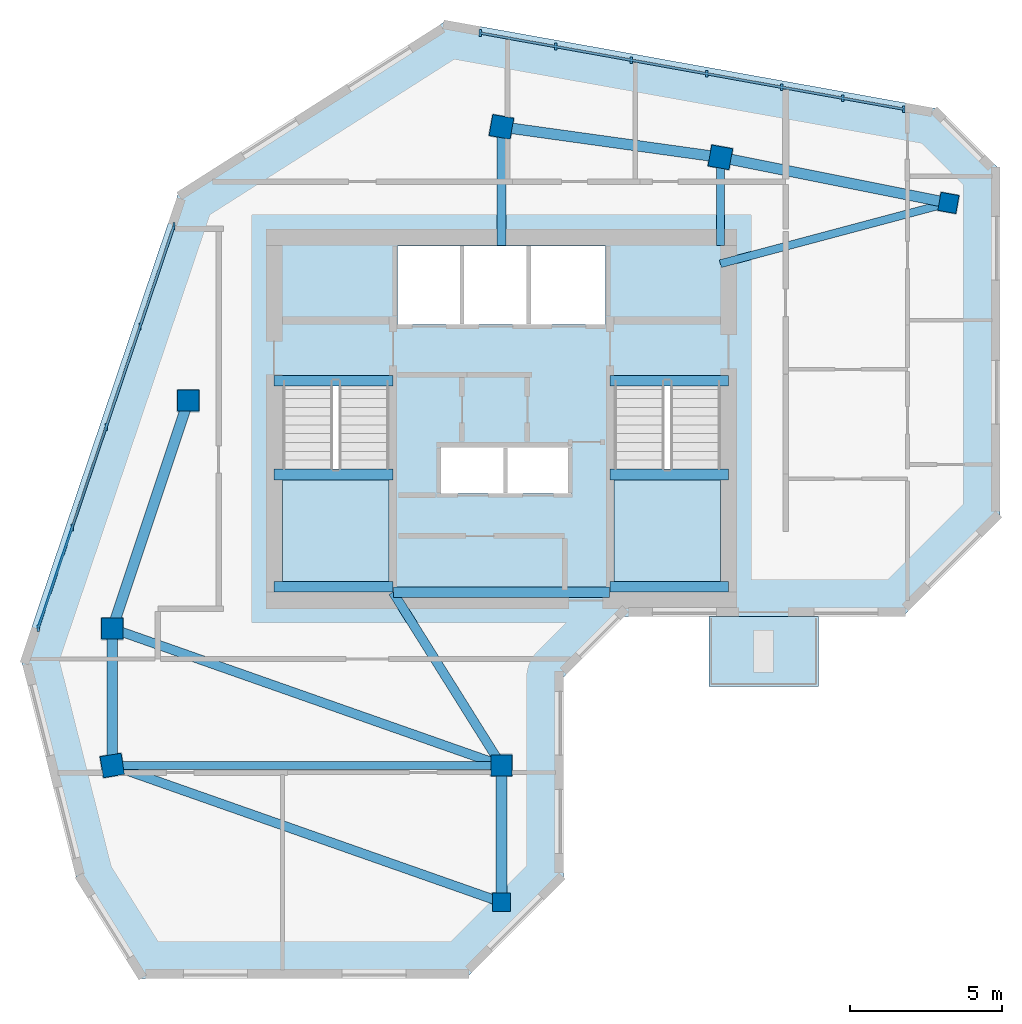
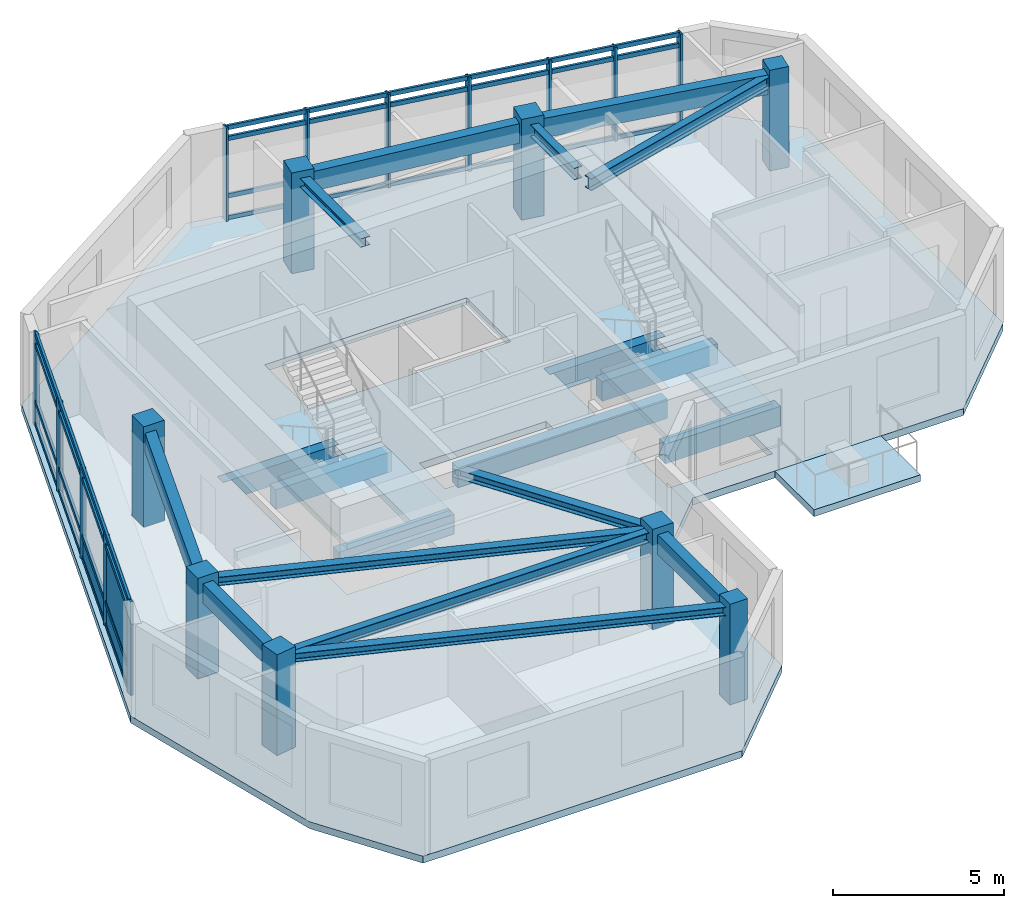
# One storey, part 1 of 7: 20 members, 19 beams, 8 columns, 4 slabs, 3 plates, 4 elements without a shape of their own.
"""IFC4 building model written with IfcOpenShell, lengths in metres."""

import ifcopenshell
import ifcopenshell.guid

model = None  # the IFC model being written
_history = None  # IfcOwnerHistory: only IFC2X3 demands one
_inside = {}  # id of a spatial element -> (the spatial element, [elements in it])
_under = {}  # id of a project, library or spatial element -> (it, [spatial elements below it])
_declared = {}  # id of a project -> (the project, [libraries it declares])
_typed = {}  # id of a type object -> (the type object, [elements of that type])
_made_of = {}  # id of a material, layer set ... -> (it, [elements and type objects made of it])


def new_model(schema):
    """Start an empty IFC model of exactly this schema.

    Asked for "IFC4X3", IfcOpenShell would pick the latest addendum, in which some entities
    have other attributes; the version numbers below select the first issue.
    IFC2X3 requires an IfcOwnerHistory on every rooted entity: one is made here for all.
    """
    global model, _history
    if schema == "IFC4X3":
        model = ifcopenshell.file(schema_version=(4, 3, 0, 0))
    else:
        model = ifcopenshell.file(schema=schema)
    _inside.clear()
    _under.clear()
    _declared.clear()
    _typed.clear()
    _made_of.clear()
    _history = None
    if model.schema == "IFC2X3":
        org = make("IfcOrganization", Name="unknown")
        user = make(
            "IfcPersonAndOrganization",
            ThePerson=make("IfcPerson", FamilyName="unknown"),
            TheOrganization=org,
        )
        app = make(
            "IfcApplication",
            ApplicationDeveloper=org,
            Version="unknown",
            ApplicationFullName="unknown",
            ApplicationIdentifier="unknown",
        )
        _history = make(
            "IfcOwnerHistory",
            OwningUser=user,
            OwningApplication=app,
            ChangeAction="ADDED",
            CreationDate=0,
        )
    return model


def make(cls, **values):
    """One entity of the class cls with the attributes given. An attribute that is None is left unset."""
    return model.create_entity(
        cls, **{name: value for name, value in values.items() if value is not None}
    )


def rooted(cls, **values):
    """An entity with a GlobalId (a new one), such as an element, a storey or a relation."""
    return make(cls, GlobalId=ifcopenshell.guid.new(), OwnerHistory=_history, **values)


def si_unit(unit_type, name, prefix=None):
    """IfcSIUnit, for example si_unit("LENGTHUNIT", "METRE", prefix="MILLI")."""
    return make("IfcSIUnit", UnitType=unit_type, Prefix=prefix, Name=name)


def assignment(units):
    """IfcUnitAssignment: the units of a project."""
    return None if units is None else make("IfcUnitAssignment", Units=units)


def point(xyz):
    """IfcCartesianPoint."""
    return None if xyz is None else make("IfcCartesianPoint", Coordinates=xyz)


def direction(xyz):
    """IfcDirection."""
    return None if xyz is None else make("IfcDirection", DirectionRatios=xyz)


def frame(location, z_axis=None, x_axis=None):
    """IfcAxis2Placement3D, a coordinate frame: its origin and axes. An axis left out is left unset."""
    return make(
        "IfcAxis2Placement3D",
        Location=point(location),
        Axis=direction(z_axis),
        RefDirection=direction(x_axis),
    )


def frame_2d(location, x_axis=None):
    """IfcAxis2Placement2D, a coordinate frame in the plane: its origin and x axis."""
    return make(
        "IfcAxis2Placement2D", Location=point(location), RefDirection=direction(x_axis)
    )


def origin():
    """The frame at (0, 0, 0) with its axes left unset."""
    return frame((0.0, 0.0, 0.0))


def origin_2d():
    """The frame at (0, 0) in the plane with its x axis left unset."""
    return frame_2d((0.0, 0.0))


def place(relative_to, where):
    """IfcLocalPlacement: puts the frame where relative to a parent placement (None: the world)."""
    return make(
        "IfcLocalPlacement", PlacementRelTo=relative_to, RelativePlacement=where
    )


def context(
    kind, dimensions, precision=None, world=None, true_north=None, identifier=None
):
    """IfcGeometricRepresentationContext, for example the 3D "Model" context."""
    return make(
        "IfcGeometricRepresentationContext",
        ContextIdentifier=identifier,
        ContextType=kind,
        CoordinateSpaceDimension=dimensions,
        Precision=precision,
        WorldCoordinateSystem=world,
        TrueNorth=true_north,
    )


def subcontext(parent, identifier, kind, view, scale=None):
    """IfcGeometricRepresentationSubContext, for example "Body" below "Model"."""
    return make(
        "IfcGeometricRepresentationSubContext",
        ContextIdentifier=identifier,
        ContextType=kind,
        ParentContext=parent,
        TargetScale=scale,
        TargetView=view,
    )


def project(units=None, contexts=None):
    """IfcProject with its units and contexts."""
    return rooted(
        "IfcProject",
        Name="project",
        RepresentationContexts=contexts,
        UnitsInContext=assignment(units),
    )


def spatial(cls, under=None, at=None, **own):
    """A site, building, storey or space (cls), placed at a placement, below another one or the project."""
    s = rooted(cls, ObjectPlacement=at, **own)
    if under is not None:
        _under.setdefault(under.id(), (under, []))[1].append(s)
    return s


def polyline(points):
    """IfcPolyline through the points."""
    return make("IfcPolyline", Points=[point(p) for p in points])


def profile(cls, at=None, kind="AREA", **sizes):
    """A parametric profile (cls). Its sizes go by their IFC names, for example OverallWidth=200.0."""
    return make(cls, ProfileType=kind, Position=at, **sizes)


def rectangle(**sizes):
    """IfcRectangleProfileDef."""
    return profile("IfcRectangleProfileDef", **sizes)


def i_section(**sizes):
    """IfcIShapeProfileDef."""
    return profile("IfcIShapeProfileDef", **sizes)


def outline(outer, holes=None, kind="AREA"):
    """IfcArbitraryClosedProfileDef: a profile drawn as a closed curve; with holes, ...WithVoids."""
    if holes is None:
        return make("IfcArbitraryClosedProfileDef", ProfileType=kind, OuterCurve=outer)
    return make(
        "IfcArbitraryProfileDefWithVoids",
        ProfileType=kind,
        OuterCurve=outer,
        InnerCurves=holes,
    )


def extrude(swept, where, along, depth):
    """IfcExtrudedAreaSolid: the profile swept, set in the frame where, extruded along a direction by depth."""
    return make(
        "IfcExtrudedAreaSolid",
        SweptArea=swept,
        Position=where,
        ExtrudedDirection=direction(along),
        Depth=depth,
    )


def shape(context_of_items, identifier, shape_type, items):
    """IfcShapeRepresentation: the items that make up one representation, for example the "Body"."""
    return make(
        "IfcShapeRepresentation",
        ContextOfItems=context_of_items,
        RepresentationIdentifier=identifier,
        RepresentationType=shape_type,
        Items=items,
    )


def source(mapping_origin, context_of_items, identifier, shape_type, items):
    """IfcRepresentationMap: a shape defined once, which mapped items show again and again."""
    return make(
        "IfcRepresentationMap",
        MappingOrigin=mapping_origin,
        MappedRepresentation=shape(context_of_items, identifier, shape_type, items),
    )


def transform(
    local_origin,
    x_axis=None,
    y_axis=None,
    z_axis=None,
    scale=None,
    scale2=None,
    scale3=None,
    uniform=True,
):
    """IfcCartesianTransformationOperator3D, or its non-uniform kind. x_axis, y_axis, z_axis: its Axis1, 2, 3."""
    if uniform:
        return make(
            "IfcCartesianTransformationOperator3D",
            Axis1=direction(x_axis),
            Axis2=direction(y_axis),
            LocalOrigin=point(local_origin),
            Scale=scale,
            Axis3=direction(z_axis),
        )
    return make(
        "IfcCartesianTransformationOperator3DnonUniform",
        Axis1=direction(x_axis),
        Axis2=direction(y_axis),
        LocalOrigin=point(local_origin),
        Scale=scale,
        Axis3=direction(z_axis),
        Scale2=scale2,
        Scale3=scale3,
    )


def mapped(mapping_source, mapping_target):
    """IfcMappedItem: shows the shape of a source again, moved by a transform."""
    return make(
        "IfcMappedItem", MappingSource=mapping_source, MappingTarget=mapping_target
    )


def material(Name=None, Category=None):
    """IfcMaterial."""
    return make("IfcMaterial", Name=Name, Category=Category)


def layer(
    of_material, thickness, ventilated=None, Name=None, Category=None, Priority=None
):
    """IfcMaterialLayer: one layer of a wall or slab, of a material (None: an air gap)."""
    return make(
        "IfcMaterialLayer",
        Material=of_material,
        LayerThickness=thickness,
        IsVentilated=ventilated,
        Name=Name,
        Category=Category,
        Priority=Priority,
    )


def layer_set(layers, Name=None):
    """IfcMaterialLayerSet."""
    return make("IfcMaterialLayerSet", MaterialLayers=layers, LayerSetName=Name)


def material_profile(
    of_material, cross_section, Name=None, Category=None, Priority=None
):
    """IfcMaterialProfile: a cross section and its material."""
    return make(
        "IfcMaterialProfile",
        Name=Name,
        Material=of_material,
        Profile=cross_section,
        Priority=Priority,
        Category=Category,
    )


def profile_set(profiles, Name=None, composite=None):
    """IfcMaterialProfileSet."""
    return make(
        "IfcMaterialProfileSet",
        Name=Name,
        MaterialProfiles=profiles,
        CompositeProfile=composite,
    )


def made_of(thing, what):
    """Note that an element or type object is made of a material, layer set ...; save() writes the relation."""
    if what is not None:
        _made_of.setdefault(what.id(), (what, []))[1].append(thing)
    return thing


def type_object(cls, material=None, **own):
    """A type object (cls), such as IfcWallType, which elements share."""
    return made_of(rooted(cls, **own), material)


def element(
    cls,
    number,
    at=None,
    inside=None,
    cuts=None,
    type_object=None,
    material=None,
    context=None,
    identifier="Body",
    shape_type=None,
    held_by="IfcProductDefinitionShape",
    body=None,
    shapes=None,
    **own,
):
    """One element of the class cls, such as IfcWall. Its Tag is "e" and its number.

    at: its placement. inside: the storey or other place that contains it. cuts: it is an
    opening in that element (IfcRelVoidsElement). A single representation is given by context,
    identifier, shape_type and body (its items); several are given by shapes. held_by: the class
    of the entity that holds the representations. save() writes the other relations.
    """
    e = rooted(cls, Tag="e%d" % number, ObjectPlacement=at, **own)
    if body is not None:
        shapes = [shape(context, identifier, shape_type, body)]
    if shapes is not None:
        e.Representation = make(held_by, Representations=shapes)
    if inside is not None:
        _inside.setdefault(inside.id(), (inside, []))[1].append(e)
    if cuts is not None:
        rooted(
            "IfcRelVoidsElement", RelatingBuildingElement=cuts, RelatedOpeningElement=e
        )
    if type_object is not None:
        _typed.setdefault(type_object.id(), (type_object, []))[1].append(e)
    return made_of(e, material)


def aggregate(whole, parts):
    """IfcRelAggregates: a whole, such as a stair, and the parts it consists of."""
    return rooted("IfcRelAggregates", RelatingObject=whole, RelatedObjects=parts)


def save(model, path):
    """Write the relations noted so far, then the file.

    IfcRelAggregates (storeys below a building ...), IfcRelContainedInSpatialStructure (elements
    in a storey), IfcRelDefinesByType, IfcRelAssociatesMaterial and IfcRelDeclares: one each for
    every whole, place, type object, material and project.
    """
    for whole, parts in _under.values():
        aggregate(whole, parts)
    for where, things in _inside.values():
        rooted(
            "IfcRelContainedInSpatialStructure",
            RelatedElements=things,
            RelatingStructure=where,
        )
    for kind, things in _typed.values():
        rooted("IfcRelDefinesByType", RelatedObjects=things, RelatingType=kind)
    for what, things in _made_of.values():
        rooted("IfcRelAssociatesMaterial", RelatedObjects=things, RelatingMaterial=what)
    for by, libraries in _declared.values():
        rooted("IfcRelDeclares", RelatingContext=by, RelatedDefinitions=libraries)
    model.write(path)


model = new_model("IFC4")

# Units and contexts
model_context = context("Model", 3, precision=1e-05, world=origin(), true_north=direction((0.0, 1.0)))
body_context = subcontext(model_context, "Body", "Model", "MODEL_VIEW")
ifc_project = project(units=[si_unit("LENGTHUNIT", "METRE"), si_unit("AREAUNIT", "SQUARE_METRE"), si_unit("VOLUMEUNIT", "CUBIC_METRE"), si_unit("PLANEANGLEUNIT", "RADIAN"), si_unit("MASSUNIT", "GRAM", prefix="KILO")], contexts=[model_context])

# Site, building, storey
site_placement = place(None, origin())
site = spatial("IfcSite", under=ifc_project, at=site_placement, CompositionType="ELEMENT")
building_placement = place(site_placement, origin())
building = spatial("IfcBuilding", under=site, at=building_placement, Name="Calvemar Wedge Station Tower", CompositionType="ELEMENT")
storey_placement = place(building_placement, frame((0.0, 0.0, 278.10009765625)))
storey = spatial("IfcBuildingStorey", under=building, at=storey_placement, Name="L71", CompositionType="ELEMENT", Elevation=278.10009765625)

# Columns
ifc_material_1 = material(Name="Concrete C50", Category="concrete")
ifc_material_profile_1 = material_profile(ifc_material_1, rectangle(XDim=0.699951171875, YDim=0.699951171875, at=origin_2d()), Name="RC700x700")
ifc_profile_set_1 = profile_set([ifc_material_profile_1], Name="Concrete C50")
column_type_1 = type_object("IfcColumnType", Name="COL-C7-700", PredefinedType="COLUMN", material=ifc_profile_set_1)
shared_shape_1 = source(origin(), body_context, "Body", "SweptSolid", [
    extrude(rectangle(XDim=0.699951171875, YDim=0.699951171875, at=origin_2d()), origin(), (0.0, 0.0, 1.0), 3.599853515625),
])
for number, where, z_axis, x_axis, name in (
    (1, (11.0, 33.0, 0.0), (0.0, 0.0, 1.0), (1.0, 0.0, 0.0), "Storey L71 Column T-NW1"),
    (2, (13.5, 40.5, 0.0), (0.0, 0.0, 1.0), (1.0, 0.0, 0.0), "Storey L71 Column T-NW2"),
    (3, (23.800048828125, 49.5, 0.0), (0.0, 0.0, 1.0), (0.984195607969, -0.17708474032, 0.0), "Storey L71 Column T-N1"),
    (4, (31.0, 48.5, 0.0), (0.0, 0.0, 1.0), (0.984195607969, -0.17708474032, 0.0), "Storey L71 Column T-N2"),
    (5, (11.0, 28.5, 0.0), (0.0, 0.0, 1.0), (0.158158067254, -0.987413806751, 0.0), "Storey L71 Column T-SW1"),
    (6, (23.800048828125, 28.5, 0.0), (0.0, 0.0, 1.0), (1.0, 0.0, 0.0), "Storey L71 Column T-SE1"),
):
    element("IfcColumn", number, at=place(storey_placement, frame(where, z_axis=z_axis, x_axis=x_axis)), inside=storey, type_object=column_type_1, Name=name, PredefinedType="COLUMN", context=body_context, shape_type="MappedRepresentation", body=[
        mapped(shared_shape_1, transform((0.0, 0.0, 0.0), scale=1.0)),
    ])
ifc_material_profile_2 = material_profile(ifc_material_1, rectangle(XDim=0.60009765625, YDim=0.60009765625, at=origin_2d()), Name="RC600x600")
ifc_profile_set_2 = profile_set([ifc_material_profile_2], Name="Concrete C50")
column_type_2 = type_object("IfcColumnType", Name="COL-C8-600", PredefinedType="COLUMN", material=ifc_profile_set_2)
shared_shape_2 = source(origin(), body_context, "Body", "SweptSolid", [
    extrude(rectangle(XDim=0.60009765625, YDim=0.60009765625, at=origin_2d()), origin(), (0.0, 0.0, 1.0), 3.599853515625),
])
for number, where, z_axis, x_axis, name in (
    (7, (38.5, 47.0, 0.0), (0.0, 0.0, 1.0), (0.984195607969, -0.17708474032, 0.0), "Storey L71 Column T-NU3"),
    (8, (23.800048828125, 24.0, 0.0), (0.0, 0.0, 1.0), (1.0, 0.0, 0.0), "Storey L71 Column T-SE2"),
):
    element("IfcColumn", number, at=place(storey_placement, frame(where, z_axis=z_axis, x_axis=x_axis)), inside=storey, type_object=column_type_2, Name=name, PredefinedType="COLUMN", context=body_context, shape_type="MappedRepresentation", body=[
        mapped(shared_shape_2, transform((0.0, 0.0, 0.0), scale=1.0)),
    ])

# Beams
ifc_material_2 = material(Name="Concrete C70", Category="concrete")
ifc_material_profile_3 = material_profile(ifc_material_2, rectangle(XDim=0.35009765625, YDim=0.699951171875, at=origin_2d()), Name="RC350x700")
ifc_profile_set_3 = profile_set([ifc_material_profile_3], Name="Concrete C70")
beam_type_1 = type_object("IfcBeamType", Name="BM-LN1-700", PredefinedType="LINTEL", material=ifc_profile_set_3)
shared_shape_3 = source(origin(), body_context, "Body", "SweptSolid", [
    extrude(rectangle(XDim=0.35009765625, YDim=0.699951171875, at=origin_2d()), origin(), (0.0, 0.0, 1.0), 7.10009765625),
])
beam_1_placement = place(storey_placement, frame((20.25, 34.199951171875, 3.0), z_axis=(1.0, 0.0, 0.0), x_axis=(0.0, 1.0, 0.0)))
element("IfcBeam", 9, at=beam_1_placement, inside=storey, type_object=beam_type_1, Name="Storey L71 Core Coupling Lintel South", PredefinedType="LINTEL", context=body_context, shape_type="MappedRepresentation", body=[
    mapped(shared_shape_3, transform((0.0, 0.0, 0.0), scale=1.0)),
])
ifc_material_3 = material(Name="Structural steel ASTM A572 Grade 50", Category="steel")
ifc_material_profile_4 = material_profile(ifc_material_3, i_section(OverallWidth=0.304931640625, OverallDepth=0.30810546875, WebThickness=0.010009765625, FlangeThickness=0.015380859375, FilletRadius=0.014892578125, at=origin_2d()), Name="W310x97")
ifc_profile_set_4 = profile_set([ifc_material_profile_4], Name="Structural steel ASTM A572 Grade 50")
beam_type_2 = type_object("IfcBeamType", Name="BM-J6-W310", PredefinedType="JOIST", material=ifc_profile_set_4)
shared_shape_4 = source(origin(), body_context, "Body", "SweptSolid", [
    extrude(i_section(OverallWidth=0.304931640625, OverallDepth=0.30810546875, WebThickness=0.010009765625, FlangeThickness=0.015380859375, FilletRadius=0.014892578125, at=origin_2d()), origin(), (0.0, 0.0, 1.0), 13.568115234375),
])
for number, where, z_axis, x_axis, name in (
    (10, (11.0, 33.0, 3.19580078125), (0.943398221169, -0.331662171939, 0.0), (0.331662171939, 0.943398221169, 0.0), "Storey L71 Floor Beam T-NW1-T-SE1"),
    (11, (11.0, 28.5, 3.19580078125), (0.943398221169, -0.331662171939, 0.0), (0.331662171939, 0.943398221169, 0.0), "Storey L71 Floor Beam T-SW1-T-SE2"),
):
    element("IfcBeam", number, at=place(storey_placement, frame(where, z_axis=z_axis, x_axis=x_axis)), inside=storey, type_object=beam_type_2, Name=name, PredefinedType="JOIST", context=body_context, shape_type="MappedRepresentation", body=[
        mapped(shared_shape_4, transform((0.0, 0.0, 0.0), scale=1.0)),
    ])
ifc_material_profile_5 = material_profile(ifc_material_3, i_section(OverallWidth=0.260986328125, OverallDepth=0.419921875, WebThickness=0.01171875, FlangeThickness=0.019287109375, FilletRadius=0.012939453125, at=origin_2d()), Name="W410x114")
ifc_profile_set_5 = profile_set([ifc_material_profile_5], Name="Structural steel ASTM A572 Grade 50")
beam_type_3 = type_object("IfcBeamType", Name="BM-J2-W410H", PredefinedType="JOIST", material=ifc_profile_set_5)
shared_shape_5 = source(origin(), body_context, "Body", "SweptSolid", [
    extrude(i_section(OverallWidth=0.260986328125, OverallDepth=0.419921875, WebThickness=0.01171875, FlangeThickness=0.019287109375, FilletRadius=0.012939453125, at=origin_2d()), origin(), (0.0, 0.0, 1.0), 7.76220703125),
])
beam_2_placement = place(storey_placement, frame((31.0, 45.0, 3.139892578125), z_axis=(0.966234939601, 0.25766265056, 0.0), x_axis=(-0.25766265056, 0.966234939601, 0.0)))
element("IfcBeam", 12, at=beam_2_placement, inside=storey, type_object=beam_type_3, Name="Storey L71 Core-to-Column Joist CJ-E2", PredefinedType="JOIST", context=body_context, shape_type="MappedRepresentation", body=[
    mapped(shared_shape_5, transform((0.0, 0.0, 0.0), scale=1.0)),
])
shared_shape_6 = source(origin(), body_context, "Body", "SweptSolid", [
    extrude(i_section(OverallWidth=0.304931640625, OverallDepth=0.30810546875, WebThickness=0.010009765625, FlangeThickness=0.015380859375, FilletRadius=0.014892578125, at=origin_2d()), origin(), (0.0, 0.0, 1.0), 3.89990234375),
])
beam_3_placement = place(storey_placement, frame((23.800048828125, 45.60009765625, 3.19580078125), z_axis=(0.0, 1.0, 0.0), x_axis=(-1.0, 0.0, 0.0)))
element("IfcBeam", 13, at=beam_3_placement, inside=storey, type_object=beam_type_2, Name="Storey L71 Core-to-Column Joist CJ-N1", PredefinedType="JOIST", context=body_context, shape_type="MappedRepresentation", body=[
    mapped(shared_shape_6, transform((0.0, 0.0, 0.0), scale=1.0)),
])
shared_shape_7 = source(origin(), body_context, "Body", "SweptSolid", [
    extrude(i_section(OverallWidth=0.260986328125, OverallDepth=0.419921875, WebThickness=0.01171875, FlangeThickness=0.019287109375, FilletRadius=0.012939453125, at=origin_2d()), origin(), (0.0, 0.0, 1.0), 2.89990234375),
])
beam_4_placement = place(storey_placement, frame((31.0, 45.60009765625, 3.139892578125), z_axis=(0.0, 1.0, 0.0), x_axis=(-1.0, 0.0, 0.0)))
element("IfcBeam", 14, at=beam_4_placement, inside=storey, type_object=beam_type_3, Name="Storey L71 Core-to-Column Joist CJ-N2", PredefinedType="JOIST", context=body_context, shape_type="MappedRepresentation", body=[
    mapped(shared_shape_7, transform((0.0, 0.0, 0.0), scale=1.0)),
])
shared_shape_8 = source(origin(), body_context, "Body", "SweptSolid", [
    extrude(i_section(OverallWidth=0.304931640625, OverallDepth=0.30810546875, WebThickness=0.010009765625, FlangeThickness=0.015380859375, FilletRadius=0.014892578125, at=origin_2d()), origin(), (0.0, 0.0, 1.0), 6.7255859375),
])
beam_5_placement = place(storey_placement, frame((20.22998046875, 34.199951171875, 3.19580078125), z_axis=(0.530811158438, -0.847490126242, 0.0), x_axis=(0.847490126242, 0.530811158438, 0.0)))
element("IfcBeam", 15, at=beam_5_placement, inside=storey, type_object=beam_type_2, Name="Storey L71 Core-to-Column Joist CJ-S2", PredefinedType="JOIST", context=body_context, shape_type="MappedRepresentation", body=[
    mapped(shared_shape_8, transform((0.0, 0.0, 0.0), scale=1.0)),
])
ifc_material_profile_6 = material_profile(ifc_material_1, rectangle(XDim=0.35009765625, YDim=0.699951171875, at=origin_2d()), Name="RC350x700")
ifc_profile_set_6 = profile_set([ifc_material_profile_6], Name="Concrete C50")
beam_type_4 = type_object("IfcBeamType", Name="BM-SP2-700", PredefinedType="SPANDREL", material=ifc_profile_set_6)
shared_shape_9 = source(origin(), body_context, "Body", "SweptSolid", [
    extrude(rectangle(XDim=0.35009765625, YDim=0.699951171875, at=origin_2d()), origin(), (0.0, 0.0, 1.0), 7.90576171875),
])
beam_6_placement = place(storey_placement, frame((11.0, 33.0, 3.0), z_axis=(0.316227766017, 0.948683298051, 0.0), x_axis=(-0.948683298051, 0.316227766017, 0.0)))
element("IfcBeam", 16, at=beam_6_placement, inside=storey, type_object=beam_type_4, Name="Storey L71 Spandrel T-NW1-T-NW2", PredefinedType="SPANDREL", context=body_context, shape_type="MappedRepresentation", body=[
    mapped(shared_shape_9, transform((0.0, 0.0, 0.0), scale=1.0)),
])
shared_shape_10 = source(origin(), body_context, "Body", "SweptSolid", [
    extrude(rectangle(XDim=0.35009765625, YDim=0.699951171875, at=origin_2d()), origin(), (0.0, 0.0, 1.0), 7.26904296875),
])
beam_7_placement = place(storey_placement, frame((23.800048828125, 49.5, 3.0), z_axis=(0.990492146053, -0.13756928657, 0.0), x_axis=(0.13756928657, 0.990492146053, 0.0)))
element("IfcBeam", 17, at=beam_7_placement, inside=storey, type_object=beam_type_4, Name="Storey L71 Spandrel T-N1-T-N2", PredefinedType="SPANDREL", context=body_context, shape_type="MappedRepresentation", body=[
    mapped(shared_shape_10, transform((0.0, 0.0, 0.0), scale=1.0)),
])
shared_shape_11 = source(origin(), body_context, "Body", "SweptSolid", [
    extrude(rectangle(XDim=0.35009765625, YDim=0.699951171875, at=origin_2d()), origin(), (0.0, 0.0, 1.0), 7.6484375),
])
beam_8_placement = place(storey_placement, frame((31.0, 48.5, 3.0), z_axis=(0.980580675691, -0.196116135138, 0.0), x_axis=(0.196116135138, 0.980580675691, 0.0)))
element("IfcBeam", 18, at=beam_8_placement, inside=storey, type_object=beam_type_4, Name="Storey L71 Spandrel T-N2-T-NU3", PredefinedType="SPANDREL", context=body_context, shape_type="MappedRepresentation", body=[
    mapped(shared_shape_11, transform((0.0, 0.0, 0.0), scale=1.0)),
])
shared_shape_12 = source(origin(), body_context, "Body", "SweptSolid", [
    extrude(rectangle(XDim=0.35009765625, YDim=0.699951171875, at=origin_2d()), origin(), (0.0, 0.0, 1.0), 4.5),
])
for number, where, z_axis, x_axis, name in (
    (19, (11.0, 33.0, 3.0), (0.0, -1.0, 0.0), (1.0, 0.0, 0.0), "Storey L71 Spandrel T-NW1-T-SW1"),
    (20, (23.800048828125, 28.5, 3.0), (0.0, -1.0, 0.0), (1.0, 0.0, 0.0), "Storey L71 Spandrel T-SE1-T-SE2"),
):
    element("IfcBeam", number, at=place(storey_placement, frame(where, z_axis=z_axis, x_axis=x_axis)), inside=storey, type_object=beam_type_4, Name=name, PredefinedType="SPANDREL", context=body_context, shape_type="MappedRepresentation", body=[
        mapped(shared_shape_12, transform((0.0, 0.0, 0.0), scale=1.0)),
    ])
shared_shape_13 = source(origin(), body_context, "Body", "SweptSolid", [
    extrude(rectangle(XDim=0.35009765625, YDim=0.699951171875, at=origin_2d()), origin(), (0.0, 0.0, 1.0), 3.905029296875),
])
for number, where, z_axis, x_axis, name in (
    (21, (16.324951171875, 41.14990234375, -0.35009765625), (1.0, 0.0, 0.0), (0.0, 1.0, 0.0), "Storey L71 Stair ST-C1 Landing Trimmer Beam"),
    (22, (16.324951171875, 34.3798828125, 1.25), (1.0, 0.0, 0.0), (0.0, 1.0, 0.0), "Storey L71 Stair ST-C1 Half-Landing Beam 1A"),
    (23, (16.324951171875, 38.070068359375, 1.25), (1.0, 0.0, 0.0), (0.0, 1.0, 0.0), "Storey L71 Stair ST-C1 Half-Landing Beam 1B"),
):
    element("IfcBeam", number, at=place(storey_placement, frame(where, z_axis=z_axis, x_axis=x_axis)), inside=storey, type_object=beam_type_1, Name=name, PredefinedType="LINTEL", context=body_context, shape_type="MappedRepresentation", body=[
        mapped(shared_shape_13, transform((0.0, 0.0, 0.0), scale=1.0)),
    ])
shared_shape_14 = source(origin(), body_context, "Body", "SweptSolid", [
    extrude(rectangle(XDim=0.35009765625, YDim=0.699951171875, at=origin_2d()), origin(), (0.0, 0.0, 1.0), 3.90478515625),
])
for number, where, z_axis, x_axis, name in (
    (24, (27.3701171875, 41.14990234375, -0.35009765625), (1.0, 0.0, 0.0), (0.0, 1.0, 0.0), "Storey L71 Stair ST-C2 Landing Trimmer Beam"),
    (25, (27.3701171875, 34.3798828125, 1.25), (1.0, 0.0, 0.0), (0.0, 1.0, 0.0), "Storey L71 Stair ST-C2 Half-Landing Beam 1A"),
    (26, (27.3701171875, 38.070068359375, 1.25), (1.0, 0.0, 0.0), (0.0, 1.0, 0.0), "Storey L71 Stair ST-C2 Half-Landing Beam 1B"),
):
    element("IfcBeam", number, at=place(storey_placement, frame(where, z_axis=z_axis, x_axis=x_axis)), inside=storey, type_object=beam_type_1, Name=name, PredefinedType="LINTEL", context=body_context, shape_type="MappedRepresentation", body=[
        mapped(shared_shape_14, transform((0.0, 0.0, 0.0), scale=1.0)),
    ])
ifc_material_profile_7 = material_profile(ifc_material_3, i_section(OverallWidth=0.257080078125, OverallDepth=0.363037109375, WebThickness=0.012939453125, FlangeThickness=0.021728515625, FilletRadius=0.014892578125, at=origin_2d()), Name="W360x122")
ifc_profile_set_7 = profile_set([ifc_material_profile_7], Name="Structural steel ASTM A572 Grade 50")
beam_type_5 = type_object("IfcBeamType", Name="BM-J4-W360", PredefinedType="JOIST", material=ifc_profile_set_7)
shared_shape_15 = source(origin(), body_context, "Body", "SweptSolid", [
    extrude(i_section(OverallWidth=0.257080078125, OverallDepth=0.363037109375, WebThickness=0.012939453125, FlangeThickness=0.021728515625, FilletRadius=0.014892578125, at=origin_2d()), origin(), (0.0, 0.0, 1.0), 12.800048828125),
])
beam_9_placement = place(storey_placement, frame((11.0, 28.5, 3.16845703125), z_axis=(1.0, 0.0, 0.0), x_axis=(0.0, 1.0, 0.0)))
element("IfcBeam", 27, at=beam_9_placement, inside=storey, type_object=beam_type_5, Name="Storey L71 Floor Beam T-SW1-T-SE1", PredefinedType="JOIST", context=body_context, shape_type="MappedRepresentation", body=[
    mapped(shared_shape_15, transform((0.0, 0.0, 0.0), scale=1.0)),
])

# Curtain wall, members
ifc_material_4 = material(Name="Anodised aluminium 6063-T6", Category="aluminium")
curtain_wall_type = type_object("IfcCurtainWallType", Name="CW6", PredefinedType="NOTDEFINED", material=ifc_material_4)
curtain_wall_1_placement = place(storey_placement, origin())
curtain_wall_1 = element("IfcCurtainWall", 28, at=curtain_wall_1_placement, inside=storey, type_object=curtain_wall_type, Name="Storey L71 CW6 Recessed Unitised Curtain Wall 10", PredefinedType="NOTDEFINED")
ifc_material_profile_8 = material_profile(ifc_material_4, rectangle(XDim=0.080078125, YDim=0.219970703125, at=origin_2d()), Name="AL-MUL-80x220")
ifc_profile_set_8 = profile_set([ifc_material_profile_8], Name="Anodised aluminium 6063-T6")
member_type_1 = type_object("IfcMemberType", Name="CW6-MUL", PredefinedType="MULLION", material=ifc_profile_set_8)
shared_shape_16 = source(origin(), body_context, "Body", "SweptSolid", [
    extrude(rectangle(XDim=0.080078125, YDim=0.219970703125, at=origin_2d()), origin(), (0.0, 0.0, 1.0), 3.39990234375),
])
member_1_placement = place(storey_placement, frame((37.033935546875, 50.084228515625, -0.050048828125), z_axis=(0.0, 0.0, 1.0), x_axis=(1.0, 0.0, 0.0)))
member_1 = element("IfcMember", 29, at=member_1_placement, type_object=member_type_1, Name="CW6 mullion 1", PredefinedType="MULLION", context=body_context, shape_type="MappedRepresentation", body=[
    mapped(shared_shape_16, transform((0.0, 0.0, 0.0), scale=1.0)),
])
member_2_placement = place(storey_placement, frame((35.02783203125, 50.44482421875, -0.050048828125), z_axis=(0.0, 0.0, 1.0), x_axis=(1.0, 0.0, 0.0)))
member_2 = element("IfcMember", 30, at=member_2_placement, type_object=member_type_1, Name="CW6 mullion 2", PredefinedType="MULLION", context=body_context, shape_type="MappedRepresentation", body=[
    mapped(shared_shape_16, transform((0.0, 0.0, 0.0), scale=1.0)),
])
member_3_placement = place(storey_placement, frame((33.02197265625, 50.805419921875, -0.050048828125), z_axis=(0.0, 0.0, 1.0), x_axis=(1.0, 0.0, 0.0)))
member_3 = element("IfcMember", 31, at=member_3_placement, type_object=member_type_1, Name="CW6 mullion 3", PredefinedType="MULLION", context=body_context, shape_type="MappedRepresentation", body=[
    mapped(shared_shape_16, transform((0.0, 0.0, 0.0), scale=1.0)),
])
member_4_placement = place(storey_placement, frame((30.546875, 51.250244140625, -0.050048828125), z_axis=(0.0, 0.0, 1.0), x_axis=(1.0, 0.0, 0.0)))
member_4 = element("IfcMember", 32, at=member_4_placement, type_object=member_type_1, Name="CW6 mullion 4", PredefinedType="MULLION", context=body_context, shape_type="MappedRepresentation", body=[
    mapped(shared_shape_16, transform((0.0, 0.0, 0.0), scale=1.0)),
])
member_5_placement = place(storey_placement, frame((28.072021484375, 51.695068359375, -0.050048828125), z_axis=(0.0, 0.0, 1.0), x_axis=(1.0, 0.0, 0.0)))
member_5 = element("IfcMember", 33, at=member_5_placement, type_object=member_type_1, Name="CW6 mullion 5", PredefinedType="MULLION", context=body_context, shape_type="MappedRepresentation", body=[
    mapped(shared_shape_16, transform((0.0, 0.0, 0.0), scale=1.0)),
])
member_6_placement = place(storey_placement, frame((25.587646484375, 52.1416015625, -0.050048828125), z_axis=(0.0, 0.0, 1.0), x_axis=(1.0, 0.0, 0.0)))
member_6 = element("IfcMember", 34, at=member_6_placement, type_object=member_type_1, Name="CW6 mullion 6", PredefinedType="MULLION", context=body_context, shape_type="MappedRepresentation", body=[
    mapped(shared_shape_16, transform((0.0, 0.0, 0.0), scale=1.0)),
])
member_7_placement = place(storey_placement, frame((23.10302734375, 52.58837890625, -0.050048828125), z_axis=(0.0, 0.0, 1.0), x_axis=(1.0, 0.0, 0.0)))
member_7 = element("IfcMember", 35, at=member_7_placement, type_object=member_type_1, Name="CW6 mullion 7", PredefinedType="MULLION", context=body_context, shape_type="MappedRepresentation", body=[
    mapped(shared_shape_16, transform((0.0, 0.0, 0.0), scale=1.0)),
])

curtain_wall_2_placement = place(storey_placement, origin())
curtain_wall_2 = element("IfcCurtainWall", 36, at=curtain_wall_2_placement, inside=storey, type_object=curtain_wall_type, Name="Storey L71 CW6 Recessed Unitised Curtain Wall 12", PredefinedType="NOTDEFINED")
member_8_placement = place(storey_placement, frame((13.030029296875, 46.240478515625, -0.050048828125), z_axis=(0.0, 0.0, 1.0), x_axis=(1.0, 0.0, 0.0)))
member_8 = element("IfcMember", 37, at=member_8_placement, type_object=member_type_1, Name="CW6 mullion 1", PredefinedType="MULLION", context=body_context, shape_type="MappedRepresentation", body=[
    mapped(shared_shape_16, transform((0.0, 0.0, 0.0), scale=1.0)),
])
member_9_placement = place(storey_placement, frame((11.913818359375, 42.9345703125, -0.050048828125), z_axis=(0.0, 0.0, 1.0), x_axis=(1.0, 0.0, 0.0)))
member_9 = element("IfcMember", 38, at=member_9_placement, type_object=member_type_1, Name="CW6 mullion 2", PredefinedType="MULLION", context=body_context, shape_type="MappedRepresentation", body=[
    mapped(shared_shape_16, transform((0.0, 0.0, 0.0), scale=1.0)),
])
member_10_placement = place(storey_placement, frame((10.797607421875, 39.628662109375, -0.050048828125), z_axis=(0.0, 0.0, 1.0), x_axis=(1.0, 0.0, 0.0)))
member_10 = element("IfcMember", 39, at=member_10_placement, type_object=member_type_1, Name="CW6 mullion 3", PredefinedType="MULLION", context=body_context, shape_type="MappedRepresentation", body=[
    mapped(shared_shape_16, transform((0.0, 0.0, 0.0), scale=1.0)),
])
member_11_placement = place(storey_placement, frame((9.681396484375, 36.32275390625, -0.050048828125), z_axis=(0.0, 0.0, 1.0), x_axis=(1.0, 0.0, 0.0)))
member_11 = element("IfcMember", 40, at=member_11_placement, type_object=member_type_1, Name="CW6 mullion 4", PredefinedType="MULLION", context=body_context, shape_type="MappedRepresentation", body=[
    mapped(shared_shape_16, transform((0.0, 0.0, 0.0), scale=1.0)),
])
member_12_placement = place(storey_placement, frame((8.56494140625, 33.016845703125, -0.050048828125), z_axis=(0.0, 0.0, 1.0), x_axis=(1.0, 0.0, 0.0)))
member_12 = element("IfcMember", 41, at=member_12_placement, type_object=member_type_1, Name="CW6 mullion 5", PredefinedType="MULLION", context=body_context, shape_type="MappedRepresentation", body=[
    mapped(shared_shape_16, transform((0.0, 0.0, 0.0), scale=1.0)),
])

# Member
ifc_material_profile_9 = material_profile(ifc_material_4, rectangle(XDim=0.080078125, YDim=0.155029296875, at=origin_2d()), Name="AL-TRN-80x155")
ifc_profile_set_9 = profile_set([ifc_material_profile_9], Name="Anodised aluminium 6063-T6")
member_type_2 = type_object("IfcMemberType", Name="CW6-TRN", PredefinedType="USERDEFINED", material=ifc_profile_set_9)
shared_shape_17 = source(origin(), body_context, "Body", "SweptSolid", [
    extrude(rectangle(XDim=0.080078125, YDim=0.155029296875, at=origin_2d()), origin(), (0.0, 0.0, 1.0), 14.154296875),
])
member_13_placement = place(storey_placement, frame((37.033935546875, 50.084228515625, 0.059814453125), z_axis=(-0.984225338595, 0.17691942479, 0.0), x_axis=(-0.17691942479, -0.984225338595, 0.0)))
member_13 = element("IfcMember", 42, at=member_13_placement, type_object=member_type_2, Name="CW6 transom 1", ObjectType="TRANSOM", PredefinedType="USERDEFINED", context=body_context, shape_type="MappedRepresentation", body=[
    mapped(shared_shape_17, transform((0.0, 0.0, 0.0), scale=1.0)),
])

member_14_placement = place(storey_placement, frame((37.033935546875, 50.084228515625, 0.849853515625), z_axis=(-0.984225338595, 0.17691942479, 0.0), x_axis=(-0.17691942479, -0.984225338595, 0.0)))
member_14 = element("IfcMember", 43, at=member_14_placement, type_object=member_type_2, Name="CW6 transom 2", ObjectType="TRANSOM", PredefinedType="USERDEFINED", context=body_context, shape_type="MappedRepresentation", body=[
    mapped(shared_shape_17, transform((0.0, 0.0, 0.0), scale=1.0)),
])

member_15_placement = place(storey_placement, frame((37.033935546875, 50.084228515625, 2.89990234375), z_axis=(-0.984225338595, 0.17691942479, 0.0), x_axis=(-0.17691942479, -0.984225338595, 0.0)))
member_15 = element("IfcMember", 44, at=member_15_placement, type_object=member_type_2, Name="CW6 transom 3", ObjectType="TRANSOM", PredefinedType="USERDEFINED", context=body_context, shape_type="MappedRepresentation", body=[
    mapped(shared_shape_17, transform((0.0, 0.0, 0.0), scale=1.0)),
])

member_16_placement = place(storey_placement, frame((37.033935546875, 50.084228515625, 3.289794921875), z_axis=(-0.984225338595, 0.17691942479, 0.0), x_axis=(-0.17691942479, -0.984225338595, 0.0)))
member_16 = element("IfcMember", 45, at=member_16_placement, type_object=member_type_2, Name="CW6 transom 4", ObjectType="TRANSOM", PredefinedType="USERDEFINED", context=body_context, shape_type="MappedRepresentation", body=[
    mapped(shared_shape_17, transform((0.0, 0.0, 0.0), scale=1.0)),
])

aggregate(curtain_wall_1, [member_1, member_2, member_3, member_4, member_5, member_6, member_7, member_13, member_14, member_15, member_16])

shared_shape_18 = source(origin(), body_context, "Body", "SweptSolid", [
    extrude(rectangle(XDim=0.080078125, YDim=0.155029296875, at=origin_2d()), origin(), (0.0, 0.0, 1.0), 13.95703125),
])
member_17_placement = place(storey_placement, frame((13.030029296875, 46.240478515625, 0.059814453125), z_axis=(-0.319914475782, -0.947446424968, 0.0), x_axis=(0.947446424968, -0.319914475782, 0.0)))
member_17 = element("IfcMember", 46, at=member_17_placement, type_object=member_type_2, Name="CW6 transom 1", ObjectType="TRANSOM", PredefinedType="USERDEFINED", context=body_context, shape_type="MappedRepresentation", body=[
    mapped(shared_shape_18, transform((0.0, 0.0, 0.0), scale=1.0)),
])

member_18_placement = place(storey_placement, frame((13.030029296875, 46.240478515625, 0.849853515625), z_axis=(-0.319914475782, -0.947446424968, 0.0), x_axis=(0.947446424968, -0.319914475782, 0.0)))
member_18 = element("IfcMember", 47, at=member_18_placement, type_object=member_type_2, Name="CW6 transom 2", ObjectType="TRANSOM", PredefinedType="USERDEFINED", context=body_context, shape_type="MappedRepresentation", body=[
    mapped(shared_shape_18, transform((0.0, 0.0, 0.0), scale=1.0)),
])

member_19_placement = place(storey_placement, frame((13.030029296875, 46.240478515625, 2.89990234375), z_axis=(-0.319914475782, -0.947446424968, 0.0), x_axis=(0.947446424968, -0.319914475782, 0.0)))
member_19 = element("IfcMember", 48, at=member_19_placement, type_object=member_type_2, Name="CW6 transom 3", ObjectType="TRANSOM", PredefinedType="USERDEFINED", context=body_context, shape_type="MappedRepresentation", body=[
    mapped(shared_shape_18, transform((0.0, 0.0, 0.0), scale=1.0)),
])

member_20_placement = place(storey_placement, frame((13.030029296875, 46.240478515625, 3.289794921875), z_axis=(-0.319914475782, -0.947446424968, 0.0), x_axis=(0.947446424968, -0.319914475782, 0.0)))
member_20 = element("IfcMember", 49, at=member_20_placement, type_object=member_type_2, Name="CW6 transom 4", ObjectType="TRANSOM", PredefinedType="USERDEFINED", context=body_context, shape_type="MappedRepresentation", body=[
    mapped(shared_shape_18, transform((0.0, 0.0, 0.0), scale=1.0)),
])

# Plate
ifc_material_5 = material(Name="Low-E laminated insulated glass", Category="glass")
ifc_layer_1 = layer(ifc_material_5, 0.028076171875)
ifc_layer_set_1 = layer_set([ifc_layer_1], Name="Low-E laminated insulated glass")
plate_type_1 = type_object("IfcPlateType", Name="CW6-GLZ", PredefinedType="CURTAIN_PANEL", material=ifc_layer_set_1)
plate_1_placement = place(storey_placement, frame((9.675537109375, 36.3056640625, 0.869873046875), z_axis=(0.0, 0.0, 1.0), x_axis=(-0.319915894708, -0.947445945853, 0.0)))
plate_1 = element("IfcPlate", 50, at=plate_1_placement, type_object=plate_type_1, Name="CW6 vision glass panel 4", PredefinedType="CURTAIN_PANEL", context=body_context, shape_type="SweptSolid", body=[
    extrude(rectangle(XDim=3.453125, YDim=0.028076171875, at=frame_2d((1.7265625, 0.0))), origin(), (0.0, 0.0, 1.0), 2.010009765625),
])

ifc_material_6 = material(Name="Oxidized bronze aluminium spandrel panel 5005-H24", Category="aluminium")
ifc_layer_2 = layer(ifc_material_6, 0.0400390625)
ifc_layer_set_2 = layer_set([ifc_layer_2], Name="Oxidized bronze aluminium spandrel panel 5005-H24")
plate_type_2 = type_object("IfcPlateType", Name="CW6-SPD", PredefinedType="SHEET", material=ifc_layer_set_2)
plate_2_placement = place(storey_placement, frame((10.791748046875, 39.611572265625, 0.079833984375), z_axis=(0.0, 0.0, 1.0), x_axis=(-0.319915894708, -0.947445945853, 0.0)))
plate_2 = element("IfcPlate", 51, at=plate_2_placement, type_object=plate_type_2, Name="CW6 bronze spandrel panel 3", PredefinedType="SHEET", context=body_context, shape_type="SweptSolid", body=[
    extrude(rectangle(XDim=3.453125, YDim=0.0400390625, at=frame_2d((1.7265625, 0.0))), origin(), (0.0, 0.0, 1.0), 0.75),
])

plate_3_placement = place(storey_placement, frame((9.675537109375, 36.3056640625, 0.079833984375), z_axis=(0.0, 0.0, 1.0), x_axis=(-0.319915894708, -0.947445945853, 0.0)))
plate_3 = element("IfcPlate", 52, at=plate_3_placement, type_object=plate_type_2, Name="CW6 bronze spandrel panel 4", PredefinedType="SHEET", context=body_context, shape_type="SweptSolid", body=[
    extrude(rectangle(XDim=3.453125, YDim=0.0400390625, at=frame_2d((1.7265625, 0.0))), origin(), (0.0, 0.0, 1.0), 0.75),
])

aggregate(curtain_wall_2, [member_8, member_9, member_10, member_11, member_12, member_17, member_18, member_19, member_20, plate_2, plate_3, plate_1])

# Stair, slab
ifc_material_7 = material(Name="Concrete C45", Category="concrete")
stair_type = type_object("IfcStairType", Name="ST-TYPE-3600", PredefinedType="HALF_TURN_STAIR", material=ifc_material_7)
stair_1_placement = place(storey_placement, origin())
stair_1 = element("IfcStair", 53, at=stair_1_placement, inside=storey, type_object=stair_type, Name="L71 Pressurized Core Exit Stair ST-C1", PredefinedType="HALF_TURN_STAIR")
ifc_layer_3 = layer(ifc_material_7, 0.199951171875)
ifc_layer_set_3 = layer_set([ifc_layer_3], Name="Concrete C45")
slab_type_1 = type_object("IfcSlabType", Name="SL-STAIR-LND-200", PredefinedType="LANDING", material=ifc_layer_set_3)
slab_1_placement = place(storey_placement, frame((0.0, 0.0, 1.599853515625)))
slab_1 = element("IfcSlab", 54, at=slab_1_placement, type_object=slab_type_1, Name="ST-C1 landing 1", PredefinedType="LANDING", context=body_context, shape_type="SweptSolid", body=[
    extrude(outline(polyline([(16.60009765625, 38.25), (16.60009765625, 34.199951171875), (20.10009765625, 34.199951171875), (20.10009765625, 38.25), (16.60009765625, 38.25)])), origin(), (0.0, 0.0, 1.0), 0.199951171875),
])
aggregate(stair_1, [slab_1])

stair_2_placement = place(storey_placement, origin())
stair_2 = element("IfcStair", 55, at=stair_2_placement, inside=storey, type_object=stair_type, Name="L71 Pressurized Core Exit Stair ST-C2", PredefinedType="HALF_TURN_STAIR")
slab_2_placement = place(storey_placement, frame((0.0, 0.0, 1.599853515625)))
slab_2 = element("IfcSlab", 56, at=slab_2_placement, type_object=slab_type_1, Name="ST-C2 landing 1", PredefinedType="LANDING", context=body_context, shape_type="SweptSolid", body=[
    extrude(outline(polyline([(27.5, 38.25), (27.5, 34.199951171875), (31.0, 34.199951171875), (31.0, 38.25), (27.5, 38.25)])), origin(), (0.0, 0.0, 1.0), 0.199951171875),
])
aggregate(stair_2, [slab_2])

# Slabs
ifc_layer_4 = layer(ifc_material_7, 0.239990234375)
ifc_layer_set_4 = layer_set([ifc_layer_4], Name="Concrete C45")
slab_type_2 = type_object("IfcSlabType", Name="SL-TERR-240", PredefinedType="FLOOR", material=ifc_layer_set_4)
slab_3_placement = place(storey_placement, frame((0.0, 0.0, -0.239990234375)))
element("IfcSlab", 57, at=slab_3_placement, inside=storey, type_object=slab_type_2, Name="Storey L71 Planted Spiral Terrace Slab", PredefinedType="FLOOR", context=body_context, shape_type="SweptSolid", body=[
    extrude(outline(polyline([(30.6201171875, 33.39990234375), (30.6201171875, 31.10009765625), (34.219970703125, 31.10009765625), (34.219970703125, 33.39990234375), (30.6201171875, 33.39990234375)])), origin(), (0.0, 0.0, 1.0), 0.239990234375),
])
ifc_layer_5 = layer(ifc_material_1, 0.25)
ifc_layer_set_5 = layer_set([ifc_layer_5], Name="Concrete C50")
slab_type_3 = type_object("IfcSlabType", Name="SL-TYP-250", PredefinedType="FLOOR", material=ifc_layer_set_5)
slab_4_placement = place(storey_placement, frame((0.0, 0.0, -0.25)))
element("IfcSlab", 58, at=slab_4_placement, inside=storey, type_object=slab_type_3, Name="Storey L71 Structural Floor Slab", PredefinedType="FLOOR", context=body_context, shape_type="SweptSolid", body=[
    extrude(outline(polyline([(8.0, 32.0), (9.840087890625, 24.699951171875), (11.840087890625, 21.5), (22.639892578125, 21.5), (25.840087890625, 24.699951171875), (25.840087890625, 31.39990234375), (27.840087890625, 33.39990234375), (37.0, 33.39990234375), (40.199951171875, 36.60009765625), (40.199951171875, 48.087890625), (38.199951171875, 50.087890625), (22.0, 53.0), (13.199951171875, 47.39990234375), (8.0, 32.0)]), holes=[polyline([(20.10009765625, 34.199951171875), (20.10009765625, 41.14990234375), (16.60009765625, 41.14990234375), (16.60009765625, 34.199951171875), (20.10009765625, 34.199951171875)]), polyline([(31.0, 34.199951171875), (31.0, 41.14990234375), (27.5, 41.14990234375), (27.5, 34.199951171875), (31.0, 34.199951171875)]), polyline([(23.929931640625, 38.949951171875), (21.7900390625, 38.949951171875), (21.7900390625, 37.449951171875), (23.929931640625, 37.449951171875), (23.93994140625, 37.449951171875), (26.080078125, 37.449951171875), (26.080078125, 38.949951171875), (23.93994140625, 38.949951171875), (23.929931640625, 38.949951171875)]), polyline([(27.219970703125, 43.0), (27.219970703125, 45.580078125), (20.3798828125, 45.580078125), (20.3798828125, 43.0), (27.219970703125, 43.0)])]), origin(), (0.0, 0.0, 1.0), 0.25),
])

save(model, "model.ifc")
